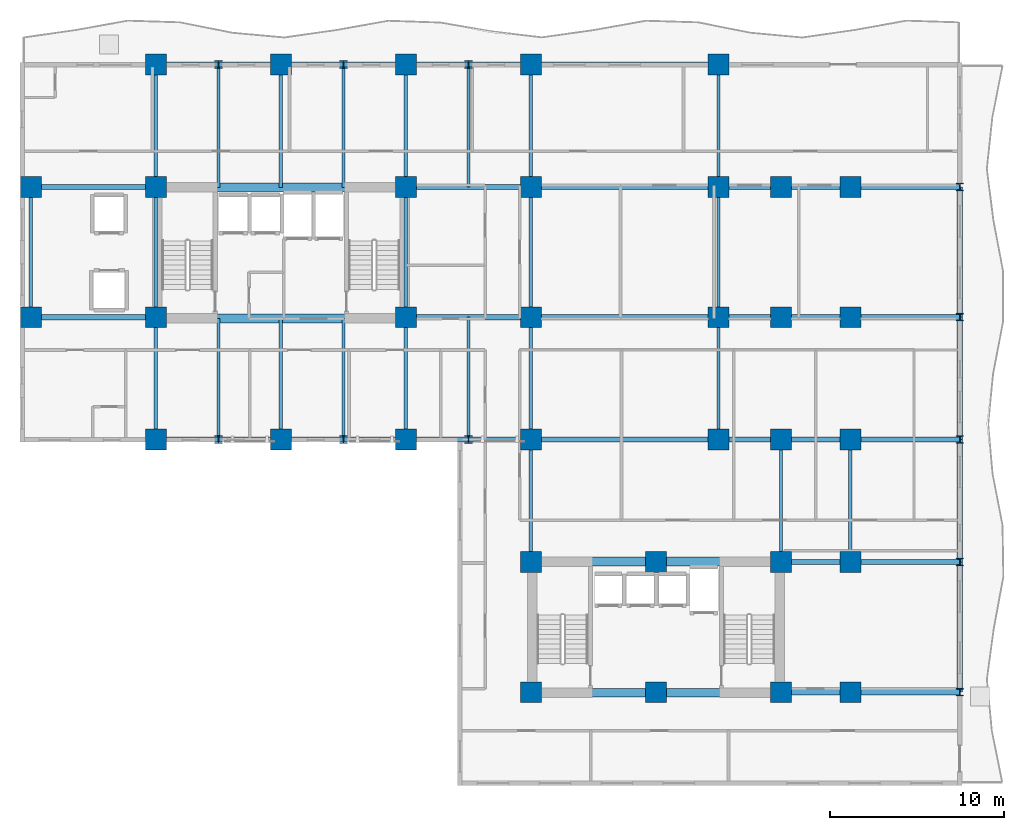
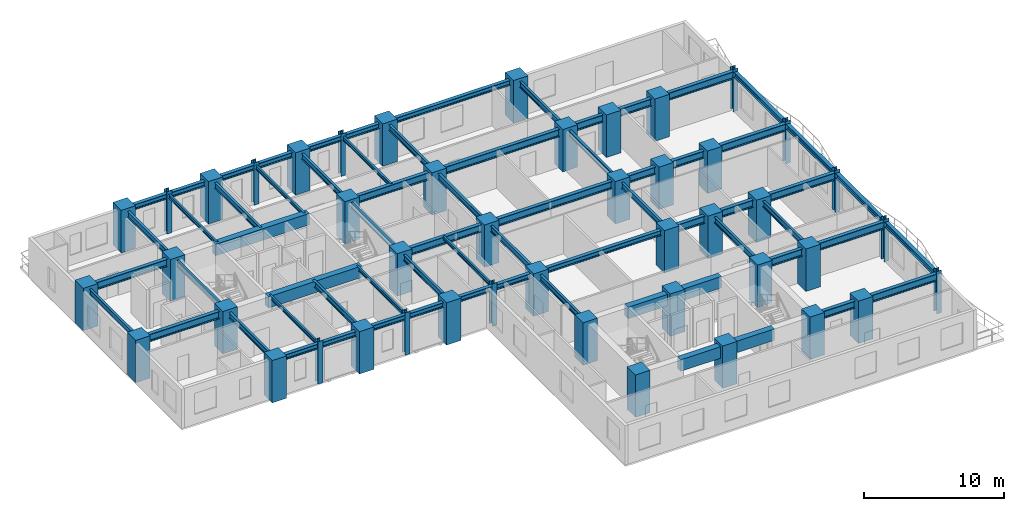
# One storey, part 1 of 11: 65 beams, 45 columns.
"""IFC4 building model written with IfcOpenShell, lengths in metres."""

from ifc_helpers import new_model, si_unit, direction, frame, origin, origin_2d, place, context, subcontext, project, spatial, rectangle, i_section, extrude, source, transform, mapped, material, material_profile, profile_set, type_object, element, save


model = new_model("IFC4")

# Units and contexts
model_context = context("Model", 3, precision=1e-05, world=origin(), true_north=direction((0.0, 1.0)))
body_context = subcontext(model_context, "Body", "Model", "MODEL_VIEW")
ifc_project = project(units=[si_unit("LENGTHUNIT", "METRE"), si_unit("AREAUNIT", "SQUARE_METRE"), si_unit("VOLUMEUNIT", "CUBIC_METRE"), si_unit("PLANEANGLEUNIT", "RADIAN"), si_unit("MASSUNIT", "GRAM", prefix="KILO")], contexts=[model_context])

# Site, building, storey
site_placement = place(None, origin())
site = spatial("IfcSite", under=ifc_project, at=site_placement, CompositionType="ELEMENT")
building_placement = place(site_placement, origin())
building = spatial("IfcBuilding", under=site, at=building_placement, Name="Kaliganga Portal Commons", CompositionType="ELEMENT")
storey_placement = place(building_placement, frame((0.0, 0.0, 104.5)))
storey = spatial("IfcBuildingStorey", under=building, at=storey_placement, Name="L26", CompositionType="ELEMENT", Elevation=104.5)

# Columns
ifc_material_1 = material(Name="Concrete C60/75", Category="concrete")
ifc_material_profile_1 = material_profile(ifc_material_1, rectangle(XDim=1.199951171875, YDim=1.199951171875, at=origin_2d()), Name="RC 1200x1200")
ifc_profile_set_1 = profile_set([ifc_material_profile_1], Name="Concrete C60/75")
column_type_1 = type_object("IfcColumnType", Name="COL-MEGA-Z2", PredefinedType="COLUMN", material=ifc_profile_set_1)
shared_shape_1 = source(origin(), body_context, "Body", "SweptSolid", [
    extrude(rectangle(XDim=1.199951171875, YDim=1.199951171875, at=origin_2d()), origin(), (0.0, 0.0, 1.0), 3.699951171875),
])
for number, where, z_axis, x_axis, name in (
    (1, (7.199951171875, 28.64990234375, 0.0), (0.0, 0.0, 1.0), (1.0, 0.0, 0.0), "Column MC-03 L26"),
    (2, (7.199951171875, 36.14990234375, 0.0), (0.0, 0.0, 1.0), (1.0, 0.0, 0.0), "Column MC-03 L26"),
    (3, (14.39990234375, 21.60009765625, 0.0), (0.0, 0.0, 1.0), (1.0, 0.0, 0.0), "Column MC-03 L26"),
    (4, (14.39990234375, 28.64990234375, 0.0), (0.0, 0.0, 1.0), (1.0, 0.0, 0.0), "Column MC-03 L26"),
    (5, (14.39990234375, 36.14990234375, 0.0), (0.0, 0.0, 1.0), (1.0, 0.0, 0.0), "Column MC-03 L26"),
    (6, (14.39990234375, 43.199951171875, 0.0), (0.0, 0.0, 1.0), (1.0, 0.0, 0.0), "Column MC-03 L26"),
    (7, (21.60009765625, 21.60009765625, 0.0), (0.0, 0.0, 1.0), (1.0, 0.0, 0.0), "Column MC-03 L26"),
    (8, (21.60009765625, 43.199951171875, 0.0), (0.0, 0.0, 1.0), (1.0, 0.0, 0.0), "Column MC-03 L26"),
    (9, (28.800048828125, 21.60009765625, 0.0), (0.0, 0.0, 1.0), (1.0, 0.0, 0.0), "Column MC-03 L26"),
    (10, (28.800048828125, 28.64990234375, 0.0), (0.0, 0.0, 1.0), (1.0, 0.0, 0.0), "Column MC-03 L26"),
    (11, (28.800048828125, 36.14990234375, 0.0), (0.0, 0.0, 1.0), (1.0, 0.0, 0.0), "Column MC-03 L26"),
    (12, (28.800048828125, 43.199951171875, 0.0), (0.0, 0.0, 1.0), (1.0, 0.0, 0.0), "Column MC-03 L26"),
    (13, (36.0, 21.60009765625, 0.0), (0.0, 0.0, 1.0), (1.0, 0.0, 0.0), "Column MC-03 L26"),
    (14, (36.0, 43.199951171875, 0.0), (0.0, 0.0, 1.0), (1.0, 0.0, 0.0), "Column MC-03 L26"),
    (15, (36.0, 28.64990234375, 0.0), (0.0, 0.0, 1.0), (1.0, 0.0, 0.0), "Column MC-03 L26"),
    (16, (36.0, 36.14990234375, 0.0), (0.0, 0.0, 1.0), (1.0, 0.0, 0.0), "Column MC-03 L26"),
    (17, (46.800048828125, 21.60009765625, 0.0), (0.0, 0.0, 1.0), (1.0, 0.0, 0.0), "Column MC-03 L26"),
    (18, (46.800048828125, 28.64990234375, 0.0), (0.0, 0.0, 1.0), (1.0, 0.0, 0.0), "Column MC-03 L26"),
    (19, (46.800048828125, 36.14990234375, 0.0), (0.0, 0.0, 1.0), (1.0, 0.0, 0.0), "Column MC-03 L26"),
    (20, (46.800048828125, 43.199951171875, 0.0), (0.0, 0.0, 1.0), (1.0, 0.0, 0.0), "Column MC-03 L26"),
    (21, (36.0, 7.050048828125, 0.0), (0.0, 0.0, 1.0), (1.0, 0.0, 0.0), "Column MC-03 L26"),
    (22, (36.0, 14.550048828125, 0.0), (0.0, 0.0, 1.0), (1.0, 0.0, 0.0), "Column MC-03 L26"),
    (23, (43.199951171875, 7.050048828125, 0.0), (0.0, 0.0, 1.0), (1.0, 0.0, 0.0), "Column MC-03 L26"),
    (24, (43.199951171875, 14.550048828125, 0.0), (0.0, 0.0, 1.0), (1.0, 0.0, 0.0), "Column MC-03 L26"),
    (25, (50.39990234375, 7.050048828125, 0.0), (0.0, 0.0, 1.0), (1.0, 0.0, 0.0), "Column MC-03 L26"),
    (26, (50.39990234375, 14.550048828125, 0.0), (0.0, 0.0, 1.0), (1.0, 0.0, 0.0), "Column MC-03 L26"),
    (27, (50.39990234375, 21.60009765625, 0.0), (0.0, 0.0, 1.0), (1.0, 0.0, 0.0), "Column MC-03 L26"),
    (28, (50.39990234375, 28.64990234375, 0.0), (0.0, 0.0, 1.0), (1.0, 0.0, 0.0), "Column MC-03 L26"),
    (29, (50.39990234375, 36.14990234375, 0.0), (0.0, 0.0, 1.0), (1.0, 0.0, 0.0), "Column MC-03 L26"),
    (30, (54.39990234375, 7.050048828125, 0.0), (0.0, 0.0, 1.0), (1.0, 0.0, 0.0), "Column MC-03 L26"),
    (31, (54.39990234375, 14.550048828125, 0.0), (0.0, 0.0, 1.0), (1.0, 0.0, 0.0), "Column MC-03 L26"),
    (32, (54.39990234375, 21.60009765625, 0.0), (0.0, 0.0, 1.0), (1.0, 0.0, 0.0), "Column MC-03 L26"),
    (33, (54.39990234375, 28.64990234375, 0.0), (0.0, 0.0, 1.0), (1.0, 0.0, 0.0), "Column MC-03 L26"),
    (34, (54.39990234375, 36.14990234375, 0.0), (0.0, 0.0, 1.0), (1.0, 0.0, 0.0), "Column MC-03 L26"),
):
    element("IfcColumn", number, at=place(storey_placement, frame(where, z_axis=z_axis, x_axis=x_axis)), inside=storey, type_object=column_type_1, Name=name, PredefinedType="COLUMN", context=body_context, shape_type="MappedRepresentation", body=[
        mapped(shared_shape_1, transform((0.0, 0.0, 0.0), x_axis=(1.0, 0.0, 0.0), y_axis=(0.0, 1.0, 0.0), z_axis=(0.0, 0.0, 1.0), scale=1.0)),
    ])
ifc_material_2 = material(Name="Structural steel S460M", Category="steel")
ifc_material_profile_2 = material_profile(ifc_material_2, i_section(OverallWidth=0.408935546875, OverallDepth=0.429931640625, WebThickness=0.0244140625, FlangeThickness=0.033447265625, FilletRadius=0.014892578125, at=origin_2d()), Name="HD 400x421")
ifc_profile_set_2 = profile_set([ifc_material_profile_2], Name="Structural steel S460M wide-flange")
column_type_2 = type_object("IfcColumnType", Name="COL-TUBE-B2", PredefinedType="COLUMN", material=ifc_profile_set_2)
shared_shape_2 = source(origin(), body_context, "Body", "SweptSolid", [
    extrude(i_section(OverallWidth=0.408935546875, OverallDepth=0.429931640625, WebThickness=0.0244140625, FlangeThickness=0.033447265625, FilletRadius=0.014892578125, at=origin_2d()), origin(), (0.0, 0.0, 1.0), 3.699951171875),
])
for number, where, z_axis, x_axis, name in (
    (35, (18.0, 21.60009765625, 0.0), (0.0, 0.0, 1.0), (1.0, 0.0, 0.0), "Column TC-02 L26"),
    (36, (18.0, 43.199951171875, 0.0), (0.0, 0.0, 1.0), (1.0, 0.0, 0.0), "Column TC-02 L26"),
    (37, (25.199951171875, 21.60009765625, 0.0), (0.0, 0.0, 1.0), (1.0, 0.0, 0.0), "Column TC-02 L26"),
    (38, (25.199951171875, 43.199951171875, 0.0), (0.0, 0.0, 1.0), (1.0, 0.0, 0.0), "Column TC-02 L26"),
    (39, (32.39990234375, 21.60009765625, 0.0), (0.0, 0.0, 1.0), (1.0, 0.0, 0.0), "Column TC-02 L26"),
    (40, (32.39990234375, 43.199951171875, 0.0), (0.0, 0.0, 1.0), (1.0, 0.0, 0.0), "Column TC-02 L26"),
    (41, (60.699951171875, 7.050048828125, 0.0), (0.0, 0.0, 1.0), (1.0, 0.0, 0.0), "Column TC-02 L26"),
    (42, (60.699951171875, 14.550048828125, 0.0), (0.0, 0.0, 1.0), (1.0, 0.0, 0.0), "Column TC-02 L26"),
    (43, (60.699951171875, 21.60009765625, 0.0), (0.0, 0.0, 1.0), (1.0, 0.0, 0.0), "Column TC-02 L26"),
    (44, (60.699951171875, 28.64990234375, 0.0), (0.0, 0.0, 1.0), (1.0, 0.0, 0.0), "Column TC-02 L26"),
    (45, (60.699951171875, 36.14990234375, 0.0), (0.0, 0.0, 1.0), (1.0, 0.0, 0.0), "Column TC-02 L26"),
):
    element("IfcColumn", number, at=place(storey_placement, frame(where, z_axis=z_axis, x_axis=x_axis)), inside=storey, type_object=column_type_2, Name=name, PredefinedType="COLUMN", context=body_context, shape_type="MappedRepresentation", body=[
        mapped(shared_shape_2, transform((0.0, 0.0, 0.0), x_axis=(1.0, 0.0, 0.0), y_axis=(0.0, 1.0, 0.0), z_axis=(0.0, 0.0, 1.0), scale=1.0)),
    ])

# Beams
ifc_material_3 = material(Name="Concrete C50/60", Category="concrete")
ifc_material_profile_3 = material_profile(ifc_material_3, rectangle(XDim=0.5, YDim=1.0, at=origin_2d()), Name="RC 500x1000")
ifc_profile_set_3 = profile_set([ifc_material_profile_3], Name="Concrete C50/60")
beam_type_1 = type_object("IfcBeamType", Name="BM-CPL-1000", PredefinedType="LINTEL", material=ifc_profile_set_3)
shared_shape_3 = source(origin(), body_context, "Body", "SweptSolid", [
    extrude(rectangle(XDim=0.5, YDim=1.0, at=origin_2d()), origin(), (0.0, 0.0, 1.0), 7.739990234375),
])
for number, where, z_axis, x_axis, name in (
    (46, (17.72998046875, 28.574951171875, 2.949951171875), (1.0, 0.0, 0.0), (0.0, 1.0, 0.0), "BM CPL COREA L26 S"),
    (47, (17.72998046875, 36.125, 2.949951171875), (1.0, 0.0, 0.0), (0.0, 1.0, 0.0), "BM CPL COREA L26 N"),
    (48, (39.330078125, 7.02490234375, 2.949951171875), (1.0, 0.0, 0.0), (0.0, 1.0, 0.0), "BM CPL COREB L26 S"),
    (49, (39.330078125, 14.574951171875, 2.949951171875), (1.0, 0.0, 0.0), (0.0, 1.0, 0.0), "BM CPL COREB L26 N"),
):
    element("IfcBeam", number, at=place(storey_placement, frame(where, z_axis=z_axis, x_axis=x_axis)), inside=storey, type_object=beam_type_1, Name=name, PredefinedType="LINTEL", context=body_context, shape_type="MappedRepresentation", body=[
        mapped(shared_shape_3, transform((0.0, 0.0, 0.0), x_axis=(1.0, 0.0, 0.0), y_axis=(0.0, 1.0, 0.0), z_axis=(0.0, 0.0, 1.0), scale=1.0)),
    ])
ifc_material_4 = material(Name="Structural steel S355J2", Category="steel")
ifc_material_profile_4 = material_profile(ifc_material_4, i_section(OverallWidth=0.300048828125, OverallDepth=0.64990234375, WebThickness=0.01611328125, FlangeThickness=0.031005859375, FilletRadius=0.027099609375, at=origin_2d()), Name="HE 650 B")
ifc_profile_set_4 = profile_set([ifc_material_profile_4], Name="Structural steel S355J2 wide-flange")
beam_type_2 = type_object("IfcBeamType", Name="BM-GIRD-650", PredefinedType="USERDEFINED", material=ifc_profile_set_4)
shared_shape_4 = source(origin(), body_context, "Body", "SweptSolid", [
    extrude(i_section(OverallWidth=0.300048828125, OverallDepth=0.64990234375, WebThickness=0.01611328125, FlangeThickness=0.031005859375, FilletRadius=0.027099609375, at=origin_2d()), origin(), (0.0, 0.0, 1.0), 3.599853515625),
])
for number, where, z_axis, x_axis, name in (
    (50, (46.800048828125, 21.60009765625, 3.125), (1.0, 0.0, 0.0), (0.0, 1.0, 0.0), "BM G L26 BKE216 1"),
    (51, (46.800048828125, 28.64990234375, 3.125), (1.0, 0.0, 0.0), (0.0, 1.0, 0.0), "BM G L26 BKE286 1"),
    (52, (46.800048828125, 36.14990234375, 3.125), (1.0, 0.0, 0.0), (0.0, 1.0, 0.0), "BM G L26 BKE362 1"),
):
    element("IfcBeam", number, at=place(storey_placement, frame(where, z_axis=z_axis, x_axis=x_axis)), inside=storey, type_object=beam_type_2, Name=name, ObjectType="GIRDER", PredefinedType="USERDEFINED", context=body_context, shape_type="MappedRepresentation", body=[
        mapped(shared_shape_4, transform((0.0, 0.0, 0.0), x_axis=(1.0, 0.0, 0.0), y_axis=(0.0, 1.0, 0.0), z_axis=(0.0, 0.0, 1.0), scale=1.0)),
    ])
shared_shape_5 = source(origin(), body_context, "Body", "SweptSolid", [
    extrude(i_section(OverallWidth=0.300048828125, OverallDepth=0.64990234375, WebThickness=0.01611328125, FlangeThickness=0.031005859375, FilletRadius=0.027099609375, at=origin_2d()), origin(), (0.0, 0.0, 1.0), 7.199951171875),
])
for number, where, z_axis, x_axis, name in (
    (53, (7.199951171875, 28.64990234375, 3.125), (1.0, 0.0, 0.0), (0.0, 1.0, 0.0), "BM G L26 WAH_S 1"),
    (54, (7.199951171875, 36.14990234375, 3.125), (1.0, 0.0, 0.0), (0.0, 1.0, 0.0), "BM G L26 WAH_N 1"),
    (55, (28.800048828125, 28.64990234375, 3.125), (1.0, 0.0, 0.0), (0.0, 1.0, 0.0), "BM G L26 WAE_S 1"),
    (56, (28.800048828125, 36.14990234375, 3.125), (1.0, 0.0, 0.0), (0.0, 1.0, 0.0), "BM G L26 WAE_N 1"),
):
    element("IfcBeam", number, at=place(storey_placement, frame(where, z_axis=z_axis, x_axis=x_axis)), inside=storey, type_object=beam_type_2, Name=name, ObjectType="GIRDER", PredefinedType="USERDEFINED", context=body_context, shape_type="MappedRepresentation", body=[
        mapped(shared_shape_5, transform((0.0, 0.0, 0.0), x_axis=(1.0, 0.0, 0.0), y_axis=(0.0, 1.0, 0.0), z_axis=(0.0, 0.0, 1.0), scale=1.0)),
    ])
shared_shape_6 = source(origin(), body_context, "Body", "SweptSolid", [
    extrude(i_section(OverallWidth=0.300048828125, OverallDepth=0.64990234375, WebThickness=0.01611328125, FlangeThickness=0.031005859375, FilletRadius=0.027099609375, at=origin_2d()), origin(), (0.0, 0.0, 1.0), 10.800048828125),
])
for number, where, z_axis, x_axis, name in (
    (57, (36.0, 28.64990234375, 3.125), (1.0, 0.0, 0.0), (0.0, 1.0, 0.0), "BM G L26 WAE_S 2"),
    (58, (36.0, 36.14990234375, 3.125), (1.0, 0.0, 0.0), (0.0, 1.0, 0.0), "BM G L26 WAE_N 2"),
):
    element("IfcBeam", number, at=place(storey_placement, frame(where, z_axis=z_axis, x_axis=x_axis)), inside=storey, type_object=beam_type_2, Name=name, ObjectType="GIRDER", PredefinedType="USERDEFINED", context=body_context, shape_type="MappedRepresentation", body=[
        mapped(shared_shape_6, transform((0.0, 0.0, 0.0), x_axis=(1.0, 0.0, 0.0), y_axis=(0.0, 1.0, 0.0), z_axis=(0.0, 0.0, 1.0), scale=1.0)),
    ])
shared_shape_7 = source(origin(), body_context, "Body", "SweptSolid", [
    extrude(i_section(OverallWidth=0.300048828125, OverallDepth=0.64990234375, WebThickness=0.01611328125, FlangeThickness=0.031005859375, FilletRadius=0.027099609375, at=origin_2d()), origin(), (0.0, 0.0, 1.0), 4.0),
])
for number, where, z_axis, x_axis, name in (
    (59, (50.39990234375, 7.050048828125, 3.125), (1.0, 0.0, 0.0), (0.0, 1.0, 0.0), "BM G L26 BKE70 1"),
    (60, (50.39990234375, 14.550048828125, 3.125), (1.0, 0.0, 0.0), (0.0, 1.0, 0.0), "BM G L26 BKE146 1"),
    (61, (50.39990234375, 21.60009765625, 3.125), (1.0, 0.0, 0.0), (0.0, 1.0, 0.0), "BM G L26 BKE216 2"),
    (62, (50.39990234375, 28.64990234375, 3.125), (1.0, 0.0, 0.0), (0.0, 1.0, 0.0), "BM G L26 BKE286 2"),
    (63, (50.39990234375, 36.14990234375, 3.125), (1.0, 0.0, 0.0), (0.0, 1.0, 0.0), "BM G L26 BKE362 2"),
):
    element("IfcBeam", number, at=place(storey_placement, frame(where, z_axis=z_axis, x_axis=x_axis)), inside=storey, type_object=beam_type_2, Name=name, ObjectType="GIRDER", PredefinedType="USERDEFINED", context=body_context, shape_type="MappedRepresentation", body=[
        mapped(shared_shape_7, transform((0.0, 0.0, 0.0), x_axis=(1.0, 0.0, 0.0), y_axis=(0.0, 1.0, 0.0), z_axis=(0.0, 0.0, 1.0), scale=1.0)),
    ])
ifc_material_profile_5 = material_profile(ifc_material_4, i_section(OverallWidth=0.199951171875, OverallDepth=0.5, WebThickness=0.01025390625, FlangeThickness=0.01611328125, FilletRadius=0.02099609375, at=origin_2d()), Name="IPE 500")
ifc_profile_set_5 = profile_set([ifc_material_profile_5], Name="Structural steel S355J2 wide-flange")
beam_type_3 = type_object("IfcBeamType", Name="BM-FLR-500", PredefinedType="BEAM", material=ifc_profile_set_5)
shared_shape_8 = source(origin(), body_context, "Body", "SweptSolid", [
    extrude(i_section(OverallWidth=0.199951171875, OverallDepth=0.5, WebThickness=0.01025390625, FlangeThickness=0.01611328125, FilletRadius=0.02099609375, at=origin_2d()), origin(), (0.0, 0.0, 1.0), 7.5),
])
for number, where, z_axis, x_axis, name in (
    (64, (7.199951171875, 28.64990234375, 3.199951171875), (0.0, 1.0, 0.0), (-1.0, 0.0, 0.0), "BM G L26 AW72"),
    (65, (14.39990234375, 28.64990234375, 3.199951171875), (0.0, 1.0, 0.0), (-1.0, 0.0, 0.0), "BM G L26 AM144"),
    (66, (28.800048828125, 28.64990234375, 3.199951171875), (0.0, 1.0, 0.0), (-1.0, 0.0, 0.0), "BM G L26 AM288"),
    (67, (36.0, 28.64990234375, 3.199951171875), (0.0, 1.0, 0.0), (-1.0, 0.0, 0.0), "BM G L26 AM360"),
    (68, (46.800048828125, 28.64990234375, 3.199951171875), (0.0, 1.0, 0.0), (-1.0, 0.0, 0.0), "BM G L26 AM468"),
):
    element("IfcBeam", number, at=place(storey_placement, frame(where, z_axis=z_axis, x_axis=x_axis)), inside=storey, type_object=beam_type_3, Name=name, PredefinedType="BEAM", context=body_context, shape_type="MappedRepresentation", body=[
        mapped(shared_shape_8, transform((0.0, 0.0, 0.0), x_axis=(1.0, 0.0, 0.0), y_axis=(0.0, 1.0, 0.0), z_axis=(0.0, 0.0, 1.0), scale=1.0)),
    ])
shared_shape_9 = source(origin(), body_context, "Body", "SweptSolid", [
    extrude(i_section(OverallWidth=0.199951171875, OverallDepth=0.5, WebThickness=0.01025390625, FlangeThickness=0.01611328125, FilletRadius=0.02099609375, at=origin_2d()), origin(), (0.0, 0.0, 1.0), 7.050048828125),
])
for number, where, z_axis, x_axis, name in (
    (69, (14.39990234375, 36.14990234375, 3.199951171875), (0.0, 1.0, 0.0), (-1.0, 0.0, 0.0), "BM G L26 AN144"),
    (70, (28.800048828125, 36.14990234375, 3.199951171875), (0.0, 1.0, 0.0), (-1.0, 0.0, 0.0), "BM G L26 AN288"),
    (71, (36.0, 36.14990234375, 3.199951171875), (0.0, 1.0, 0.0), (-1.0, 0.0, 0.0), "BM G L26 AN360"),
    (72, (46.800048828125, 36.14990234375, 3.199951171875), (0.0, 1.0, 0.0), (-1.0, 0.0, 0.0), "BM G L26 AN468"),
    (73, (36.0, 14.550048828125, 3.199951171875), (0.0, 1.0, 0.0), (-1.0, 0.0, 0.0), "BM G L26 BNK360"),
    (74, (50.39990234375, 14.550048828125, 3.199951171875), (0.0, 1.0, 0.0), (-1.0, 0.0, 0.0), "BM G L26 BNK504"),
    (75, (54.39990234375, 14.550048828125, 3.199951171875), (0.0, 1.0, 0.0), (-1.0, 0.0, 0.0), "BM G L26 BNK544"),
):
    element("IfcBeam", number, at=place(storey_placement, frame(where, z_axis=z_axis, x_axis=x_axis)), inside=storey, type_object=beam_type_3, Name=name, PredefinedType="BEAM", context=body_context, shape_type="MappedRepresentation", body=[
        mapped(shared_shape_9, transform((0.0, 0.0, 0.0), x_axis=(1.0, 0.0, 0.0), y_axis=(0.0, 1.0, 0.0), z_axis=(0.0, 0.0, 1.0), scale=1.0)),
    ])
shared_shape_10 = source(origin(), body_context, "Body", "SweptSolid", [
    extrude(i_section(OverallWidth=0.199951171875, OverallDepth=0.5, WebThickness=0.01025390625, FlangeThickness=0.01611328125, FilletRadius=0.02099609375, at=origin_2d()), origin(), (0.0, 0.0, 1.0), 7.0498046875),
])
for number, where, z_axis, x_axis, name in (
    (76, (14.39990234375, 21.60009765625, 3.199951171875), (0.0, 1.0, 0.0), (-1.0, 0.0, 0.0), "BM G L26 AS144"),
    (77, (28.800048828125, 21.60009765625, 3.199951171875), (0.0, 1.0, 0.0), (-1.0, 0.0, 0.0), "BM G L26 AS288"),
    (78, (36.0, 21.60009765625, 3.199951171875), (0.0, 1.0, 0.0), (-1.0, 0.0, 0.0), "BM G L26 AS360"),
    (79, (46.800048828125, 21.60009765625, 3.199951171875), (0.0, 1.0, 0.0), (-1.0, 0.0, 0.0), "BM G L26 AS468"),
):
    element("IfcBeam", number, at=place(storey_placement, frame(where, z_axis=z_axis, x_axis=x_axis)), inside=storey, type_object=beam_type_3, Name=name, PredefinedType="BEAM", context=body_context, shape_type="MappedRepresentation", body=[
        mapped(shared_shape_10, transform((0.0, 0.0, 0.0), x_axis=(1.0, 0.0, 0.0), y_axis=(0.0, 1.0, 0.0), z_axis=(0.0, 0.0, 1.0), scale=1.0)),
    ])
shared_shape_11 = source(origin(), body_context, "Body", "SweptSolid", [
    extrude(i_section(OverallWidth=0.199951171875, OverallDepth=0.5, WebThickness=0.01025390625, FlangeThickness=0.01611328125, FilletRadius=0.02099609375, at=origin_2d()), origin(), (0.0, 0.0, 1.0), 7.074951171875),
])
beam_1_placement = place(storey_placement, frame((21.60009765625, 36.125, 3.199951171875), z_axis=(0.0, 1.0, 0.0), x_axis=(-1.0, 0.0, 0.0)))
element("IfcBeam", 80, at=beam_1_placement, inside=storey, type_object=beam_type_3, Name="BM G L26 AN216", PredefinedType="BEAM", context=body_context, shape_type="MappedRepresentation", body=[
    mapped(shared_shape_11, transform((0.0, 0.0, 0.0), x_axis=(1.0, 0.0, 0.0), y_axis=(0.0, 1.0, 0.0), z_axis=(0.0, 0.0, 1.0), scale=1.0)),
])
shared_shape_12 = source(origin(), body_context, "Body", "SweptSolid", [
    extrude(i_section(OverallWidth=0.199951171875, OverallDepth=0.5, WebThickness=0.01025390625, FlangeThickness=0.01611328125, FilletRadius=0.02099609375, at=origin_2d()), origin(), (0.0, 0.0, 1.0), 6.974853515625),
])
beam_2_placement = place(storey_placement, frame((21.60009765625, 21.60009765625, 3.199951171875), z_axis=(0.0, 1.0, 0.0), x_axis=(-1.0, 0.0, 0.0)))
element("IfcBeam", 81, at=beam_2_placement, inside=storey, type_object=beam_type_3, Name="BM G L26 AS216", PredefinedType="BEAM", context=body_context, shape_type="MappedRepresentation", body=[
    mapped(shared_shape_12, transform((0.0, 0.0, 0.0), x_axis=(1.0, 0.0, 0.0), y_axis=(0.0, 1.0, 0.0), z_axis=(0.0, 0.0, 1.0), scale=1.0)),
])
shared_shape_13 = source(origin(), body_context, "Body", "SweptSolid", [
    extrude(i_section(OverallWidth=0.300048828125, OverallDepth=0.64990234375, WebThickness=0.01611328125, FlangeThickness=0.031005859375, FilletRadius=0.027099609375, at=origin_2d()), origin(), (0.0, 0.0, 1.0), 6.300048828125),
])
for number, where, z_axis, x_axis, name in (
    (82, (54.39990234375, 7.050048828125, 3.125), (1.0, 0.0, 0.0), (0.0, 1.0, 0.0), "BM G L26 BKE70 2"),
    (83, (54.39990234375, 14.550048828125, 3.125), (1.0, 0.0, 0.0), (0.0, 1.0, 0.0), "BM G L26 BKE146 2"),
    (84, (54.39990234375, 21.60009765625, 3.125), (1.0, 0.0, 0.0), (0.0, 1.0, 0.0), "BM G L26 BKE216 3"),
    (85, (54.39990234375, 28.64990234375, 3.125), (1.0, 0.0, 0.0), (0.0, 1.0, 0.0), "BM G L26 BKE286 3"),
    (86, (54.39990234375, 36.14990234375, 3.125), (1.0, 0.0, 0.0), (0.0, 1.0, 0.0), "BM G L26 BKE362 3"),
):
    element("IfcBeam", number, at=place(storey_placement, frame(where, z_axis=z_axis, x_axis=x_axis)), inside=storey, type_object=beam_type_2, Name=name, ObjectType="GIRDER", PredefinedType="USERDEFINED", context=body_context, shape_type="MappedRepresentation", body=[
        mapped(shared_shape_13, transform((0.0, 0.0, 0.0), x_axis=(1.0, 0.0, 0.0), y_axis=(0.0, 1.0, 0.0), z_axis=(0.0, 0.0, 1.0), scale=1.0)),
    ])
ifc_material_profile_6 = material_profile(ifc_material_4, i_section(OverallWidth=0.300048828125, OverallDepth=0.449951171875, WebThickness=0.013916015625, FlangeThickness=0.02587890625, FilletRadius=0.027099609375, at=origin_2d()), Name="HE 450 B")
ifc_profile_set_6 = profile_set([ifc_material_profile_6], Name="Structural steel S355J2 wide-flange")
beam_type_4 = type_object("IfcBeamType", Name="BM-SPAND-450", PredefinedType="SPANDREL", material=ifc_profile_set_6)
shared_shape_14 = source(origin(), body_context, "Body", "SweptSolid", [
    extrude(i_section(OverallWidth=0.300048828125, OverallDepth=0.449951171875, WebThickness=0.013916015625, FlangeThickness=0.02587890625, FilletRadius=0.027099609375, at=origin_2d()), origin(), (0.0, 0.0, 1.0), 3.60009765625),
])
for number, where, z_axis, x_axis, name in (
    (87, (14.39990234375, 43.199951171875, 3.22509765625), (1.0, 0.0, 0.0), (0.0, 1.0, 0.0), "BM SP L26 AN 1"),
    (88, (18.0, 43.199951171875, 3.22509765625), (1.0, 0.0, 0.0), (0.0, 1.0, 0.0), "BM SP L26 AN 2"),
    (89, (25.199951171875, 43.199951171875, 3.22509765625), (1.0, 0.0, 0.0), (0.0, 1.0, 0.0), "BM SP L26 AN 4"),
    (90, (32.39990234375, 43.199951171875, 3.22509765625), (1.0, 0.0, 0.0), (0.0, 1.0, 0.0), "BM SP L26 AN 6"),
    (91, (14.39990234375, 21.60009765625, 3.22509765625), (1.0, 0.0, 0.0), (0.0, 1.0, 0.0), "BM SP L26 AS 1"),
    (92, (18.0, 21.60009765625, 3.22509765625), (1.0, 0.0, 0.0), (0.0, 1.0, 0.0), "BM SP L26 AS 2"),
    (93, (25.199951171875, 21.60009765625, 3.22509765625), (1.0, 0.0, 0.0), (0.0, 1.0, 0.0), "BM SP L26 AS 4"),
    (94, (32.39990234375, 21.60009765625, 3.22509765625), (1.0, 0.0, 0.0), (0.0, 1.0, 0.0), "BM SP L26 AS 6"),
):
    element("IfcBeam", number, at=place(storey_placement, frame(where, z_axis=z_axis, x_axis=x_axis)), inside=storey, type_object=beam_type_4, Name=name, PredefinedType="SPANDREL", context=body_context, shape_type="MappedRepresentation", body=[
        mapped(shared_shape_14, transform((0.0, 0.0, 0.0), x_axis=(1.0, 0.0, 0.0), y_axis=(0.0, 1.0, 0.0), z_axis=(0.0, 0.0, 1.0), scale=1.0)),
    ])
shared_shape_15 = source(origin(), body_context, "Body", "SweptSolid", [
    extrude(i_section(OverallWidth=0.300048828125, OverallDepth=0.449951171875, WebThickness=0.013916015625, FlangeThickness=0.02587890625, FilletRadius=0.027099609375, at=origin_2d()), origin(), (0.0, 0.0, 1.0), 3.599853515625),
])
for number, where, z_axis, x_axis, name in (
    (95, (21.60009765625, 43.199951171875, 3.22509765625), (1.0, 0.0, 0.0), (0.0, 1.0, 0.0), "BM SP L26 AN 3"),
    (96, (28.800048828125, 43.199951171875, 3.22509765625), (1.0, 0.0, 0.0), (0.0, 1.0, 0.0), "BM SP L26 AN 5"),
    (97, (21.60009765625, 21.60009765625, 3.22509765625), (1.0, 0.0, 0.0), (0.0, 1.0, 0.0), "BM SP L26 AS 3"),
    (98, (28.800048828125, 21.60009765625, 3.22509765625), (1.0, 0.0, 0.0), (0.0, 1.0, 0.0), "BM SP L26 AS 5"),
):
    element("IfcBeam", number, at=place(storey_placement, frame(where, z_axis=z_axis, x_axis=x_axis)), inside=storey, type_object=beam_type_4, Name=name, PredefinedType="SPANDREL", context=body_context, shape_type="MappedRepresentation", body=[
        mapped(shared_shape_15, transform((0.0, 0.0, 0.0), x_axis=(1.0, 0.0, 0.0), y_axis=(0.0, 1.0, 0.0), z_axis=(0.0, 0.0, 1.0), scale=1.0)),
    ])
shared_shape_16 = source(origin(), body_context, "Body", "SweptSolid", [
    extrude(i_section(OverallWidth=0.300048828125, OverallDepth=0.449951171875, WebThickness=0.013916015625, FlangeThickness=0.02587890625, FilletRadius=0.027099609375, at=origin_2d()), origin(), (0.0, 0.0, 1.0), 10.800048828125),
])
for number, where, z_axis, x_axis, name in (
    (99, (36.0, 43.199951171875, 3.22509765625), (1.0, 0.0, 0.0), (0.0, 1.0, 0.0), "BM SP L26 AN 7"),
    (100, (36.0, 21.60009765625, 3.22509765625), (1.0, 0.0, 0.0), (0.0, 1.0, 0.0), "BM SP L26 AS 7"),
):
    element("IfcBeam", number, at=place(storey_placement, frame(where, z_axis=z_axis, x_axis=x_axis)), inside=storey, type_object=beam_type_4, Name=name, PredefinedType="SPANDREL", context=body_context, shape_type="MappedRepresentation", body=[
        mapped(shared_shape_16, transform((0.0, 0.0, 0.0), x_axis=(1.0, 0.0, 0.0), y_axis=(0.0, 1.0, 0.0), z_axis=(0.0, 0.0, 1.0), scale=1.0)),
    ])
ifc_material_profile_7 = material_profile(ifc_material_4, i_section(OverallWidth=0.159912109375, OverallDepth=0.330078125, WebThickness=0.007568359375, FlangeThickness=0.011474609375, FilletRadius=0.01806640625, at=origin_2d()), Name="IPE 330")
ifc_profile_set_7 = profile_set([ifc_material_profile_7], Name="Structural steel S355J2 wide-flange")
beam_type_5 = type_object("IfcBeamType", Name="BM-JST-330", PredefinedType="JOIST", material=ifc_profile_set_7)
shared_shape_17 = source(origin(), body_context, "Body", "SweptSolid", [
    extrude(i_section(OverallWidth=0.159912109375, OverallDepth=0.330078125, WebThickness=0.007568359375, FlangeThickness=0.011474609375, FilletRadius=0.01806640625, at=origin_2d()), origin(), (0.0, 0.0, 1.0), 7.074951171875),
])
for number, where, z_axis, x_axis, name in (
    (101, (18.0, 36.125, 3.284912109375), (0.0, 1.0, 0.0), (-1.0, 0.0, 0.0), "BM G L26 AN180"),
    (102, (25.199951171875, 36.125, 3.284912109375), (0.0, 1.0, 0.0), (-1.0, 0.0, 0.0), "BM G L26 AN252"),
):
    element("IfcBeam", number, at=place(storey_placement, frame(where, z_axis=z_axis, x_axis=x_axis)), inside=storey, type_object=beam_type_5, Name=name, PredefinedType="JOIST", context=body_context, shape_type="MappedRepresentation", body=[
        mapped(shared_shape_17, transform((0.0, 0.0, 0.0), x_axis=(1.0, 0.0, 0.0), y_axis=(0.0, 1.0, 0.0), z_axis=(0.0, 0.0, 1.0), scale=1.0)),
    ])
shared_shape_18 = source(origin(), body_context, "Body", "SweptSolid", [
    extrude(i_section(OverallWidth=0.159912109375, OverallDepth=0.330078125, WebThickness=0.007568359375, FlangeThickness=0.011474609375, FilletRadius=0.01806640625, at=origin_2d()), origin(), (0.0, 0.0, 1.0), 6.974853515625),
])
for number, where, z_axis, x_axis, name in (
    (103, (18.0, 21.60009765625, 3.284912109375), (0.0, 1.0, 0.0), (-1.0, 0.0, 0.0), "BM G L26 AS180"),
    (104, (25.199951171875, 21.60009765625, 3.284912109375), (0.0, 1.0, 0.0), (-1.0, 0.0, 0.0), "BM G L26 AS252"),
):
    element("IfcBeam", number, at=place(storey_placement, frame(where, z_axis=z_axis, x_axis=x_axis)), inside=storey, type_object=beam_type_5, Name=name, PredefinedType="JOIST", context=body_context, shape_type="MappedRepresentation", body=[
        mapped(shared_shape_18, transform((0.0, 0.0, 0.0), x_axis=(1.0, 0.0, 0.0), y_axis=(0.0, 1.0, 0.0), z_axis=(0.0, 0.0, 1.0), scale=1.0)),
    ])
shared_shape_19 = source(origin(), body_context, "Body", "SweptSolid", [
    extrude(i_section(OverallWidth=0.159912109375, OverallDepth=0.330078125, WebThickness=0.007568359375, FlangeThickness=0.011474609375, FilletRadius=0.01806640625, at=origin_2d()), origin(), (0.0, 0.0, 1.0), 7.050048828125),
])
beam_3_placement = place(storey_placement, frame((32.39990234375, 36.14990234375, 3.284912109375), z_axis=(0.0, 1.0, 0.0), x_axis=(-1.0, 0.0, 0.0)))
element("IfcBeam", 105, at=beam_3_placement, inside=storey, type_object=beam_type_5, Name="BM G L26 AN324", PredefinedType="JOIST", context=body_context, shape_type="MappedRepresentation", body=[
    mapped(shared_shape_19, transform((0.0, 0.0, 0.0), x_axis=(1.0, 0.0, 0.0), y_axis=(0.0, 1.0, 0.0), z_axis=(0.0, 0.0, 1.0), scale=1.0)),
])
shared_shape_20 = source(origin(), body_context, "Body", "SweptSolid", [
    extrude(i_section(OverallWidth=0.159912109375, OverallDepth=0.330078125, WebThickness=0.007568359375, FlangeThickness=0.011474609375, FilletRadius=0.01806640625, at=origin_2d()), origin(), (0.0, 0.0, 1.0), 7.0498046875),
])
beam_4_placement = place(storey_placement, frame((32.39990234375, 21.60009765625, 3.284912109375), z_axis=(0.0, 1.0, 0.0), x_axis=(-1.0, 0.0, 0.0)))
element("IfcBeam", 106, at=beam_4_placement, inside=storey, type_object=beam_type_5, Name="BM G L26 AS324", PredefinedType="JOIST", context=body_context, shape_type="MappedRepresentation", body=[
    mapped(shared_shape_20, transform((0.0, 0.0, 0.0), x_axis=(1.0, 0.0, 0.0), y_axis=(0.0, 1.0, 0.0), z_axis=(0.0, 0.0, 1.0), scale=1.0)),
])
shared_shape_21 = source(origin(), body_context, "Body", "SweptSolid", [
    extrude(i_section(OverallWidth=0.300048828125, OverallDepth=0.449951171875, WebThickness=0.013916015625, FlangeThickness=0.02587890625, FilletRadius=0.027099609375, at=origin_2d()), origin(), (0.0, 0.0, 1.0), 7.5),
])
for number, where, z_axis, x_axis, name in (
    (107, (60.699951171875, 7.050048828125, 3.22509765625), (0.0, 1.0, 0.0), (-1.0, 0.0, 0.0), "BM SP L26 BE 1"),
    (108, (60.699951171875, 28.64990234375, 3.22509765625), (0.0, 1.0, 0.0), (-1.0, 0.0, 0.0), "BM SP L26 BE 4"),
):
    element("IfcBeam", number, at=place(storey_placement, frame(where, z_axis=z_axis, x_axis=x_axis)), inside=storey, type_object=beam_type_4, Name=name, PredefinedType="SPANDREL", context=body_context, shape_type="MappedRepresentation", body=[
        mapped(shared_shape_21, transform((0.0, 0.0, 0.0), x_axis=(1.0, 0.0, 0.0), y_axis=(0.0, 1.0, 0.0), z_axis=(0.0, 0.0, 1.0), scale=1.0)),
    ])
shared_shape_22 = source(origin(), body_context, "Body", "SweptSolid", [
    extrude(i_section(OverallWidth=0.300048828125, OverallDepth=0.449951171875, WebThickness=0.013916015625, FlangeThickness=0.02587890625, FilletRadius=0.027099609375, at=origin_2d()), origin(), (0.0, 0.0, 1.0), 7.050048828125),
])
beam_5_placement = place(storey_placement, frame((60.699951171875, 14.550048828125, 3.22509765625), z_axis=(0.0, 1.0, 0.0), x_axis=(-1.0, 0.0, 0.0)))
element("IfcBeam", 109, at=beam_5_placement, inside=storey, type_object=beam_type_4, Name="BM SP L26 BE 2", PredefinedType="SPANDREL", context=body_context, shape_type="MappedRepresentation", body=[
    mapped(shared_shape_22, transform((0.0, 0.0, 0.0), x_axis=(1.0, 0.0, 0.0), y_axis=(0.0, 1.0, 0.0), z_axis=(0.0, 0.0, 1.0), scale=1.0)),
])
shared_shape_23 = source(origin(), body_context, "Body", "SweptSolid", [
    extrude(i_section(OverallWidth=0.300048828125, OverallDepth=0.449951171875, WebThickness=0.013916015625, FlangeThickness=0.02587890625, FilletRadius=0.027099609375, at=origin_2d()), origin(), (0.0, 0.0, 1.0), 7.0498046875),
])
beam_6_placement = place(storey_placement, frame((60.699951171875, 21.60009765625, 3.22509765625), z_axis=(0.0, 1.0, 0.0), x_axis=(-1.0, 0.0, 0.0)))
element("IfcBeam", 110, at=beam_6_placement, inside=storey, type_object=beam_type_4, Name="BM SP L26 BE 3", PredefinedType="SPANDREL", context=body_context, shape_type="MappedRepresentation", body=[
    mapped(shared_shape_23, transform((0.0, 0.0, 0.0), x_axis=(1.0, 0.0, 0.0), y_axis=(0.0, 1.0, 0.0), z_axis=(0.0, 0.0, 1.0), scale=1.0)),
])

save(model, "model.ifc")
